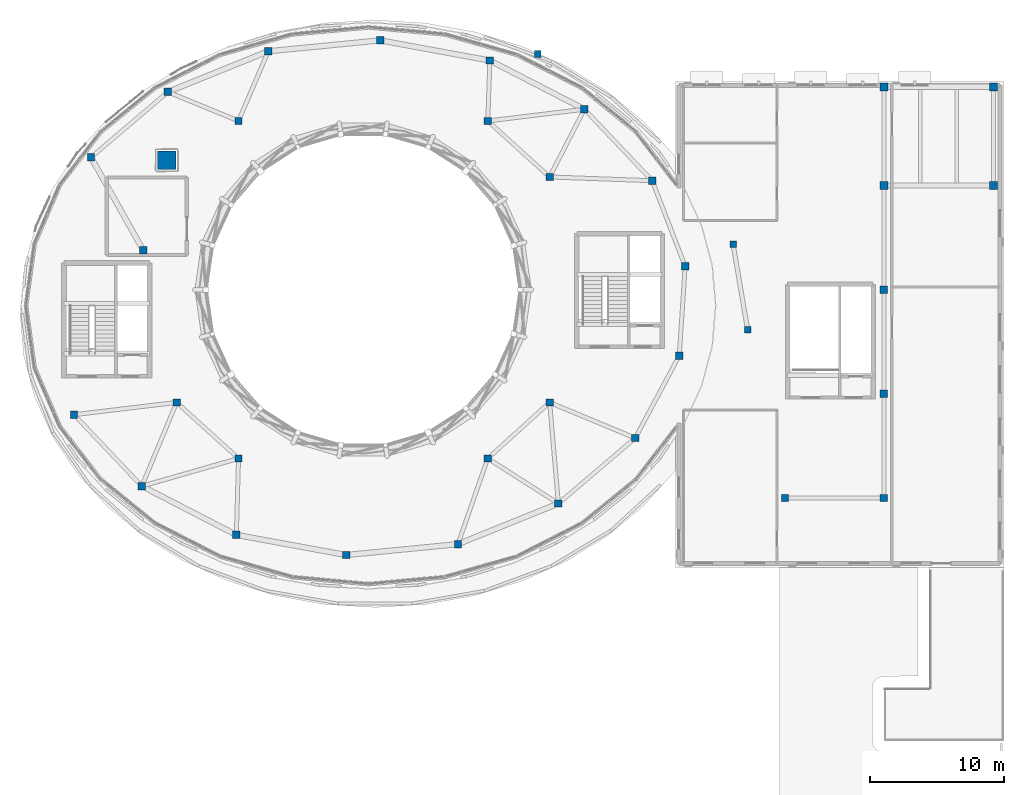
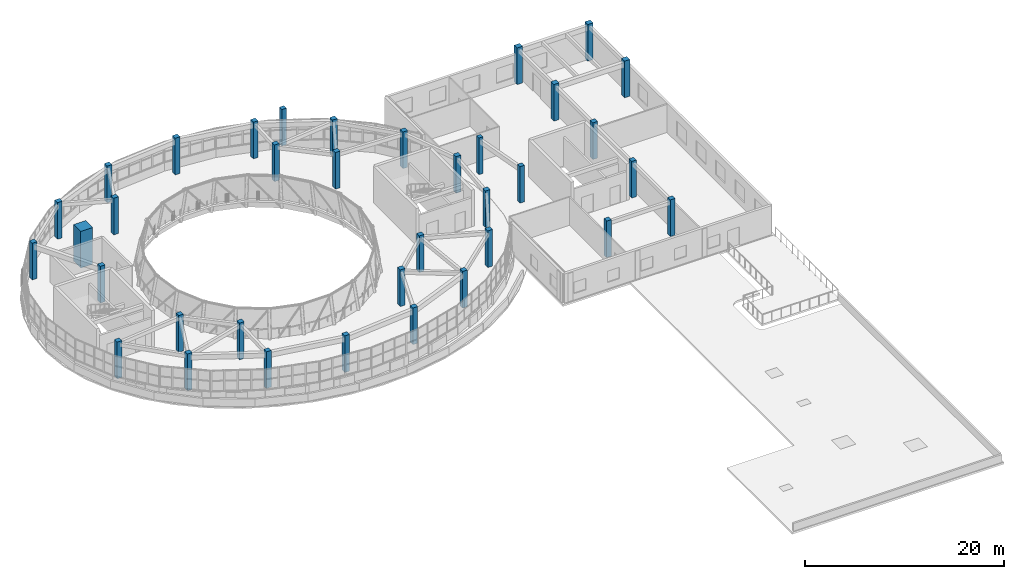
# One storey, part 1 of 46: 36 columns.
"""IFC4 building model written with IfcOpenShell, lengths in metres."""

from ifc_helpers import new_model, si_unit, direction, frame, origin, origin_2d, place, context, subcontext, project, spatial, rectangle, extrude, material, material_profile, profile_set, type_object, element, save


model = new_model("IFC4")

# Units and contexts
model_context = context("Model", 3, precision=1e-05, world=origin(), true_north=direction((0.0, 1.0)))
body_context = subcontext(model_context, "Body", "Model", "MODEL_VIEW")
ifc_project = project(units=[si_unit("LENGTHUNIT", "METRE"), si_unit("AREAUNIT", "SQUARE_METRE"), si_unit("VOLUMEUNIT", "CUBIC_METRE"), si_unit("PLANEANGLEUNIT", "RADIAN"), si_unit("MASSUNIT", "GRAM", prefix="KILO")], contexts=[model_context])

# Site, building, storey
site_placement = place(None, origin())
site = spatial("IfcSite", under=ifc_project, at=site_placement, CompositionType="ELEMENT")
building_placement = place(site_placement, origin())
building = spatial("IfcBuilding", under=site, at=building_placement, Name="Pelvatis Terrace Science Centre", CompositionType="ELEMENT")
storey_placement = place(building_placement, frame((0.0, 0.0, 19.800048828125)))
storey = spatial("IfcBuildingStorey", under=building, at=storey_placement, Name="L04", CompositionType="ELEMENT", Elevation=19.800048828125)

# Columns
ifc_material_1 = material(Name="Concrete C40/50", Category="concrete")
ifc_material_profile_1 = material_profile(ifc_material_1, rectangle(XDim=1.39990234375, YDim=1.39990234375, at=origin_2d()), Name="RC-COL 1400x1400")
ifc_profile_set_1 = profile_set([ifc_material_profile_1], Name="Concrete C40/50")
column_type_1 = type_object("IfcColumnType", Name="COL-PIER-1400", PredefinedType="COLUMN", material=ifc_profile_set_1)
column_placement = place(storey_placement, frame((94.5, 95.5, 0.0), z_axis=(0.0, 0.0, 1.0), x_axis=(1.0, 0.0, 0.0)))
element("IfcColumn", 1, at=column_placement, inside=storey, type_object=column_type_1, Name="Column PIER-OBS (L04)", PredefinedType="COLUMN", context=body_context, shape_type="SweptSolid", body=[
    extrude(rectangle(XDim=1.39990234375, YDim=1.39990234375, at=origin_2d()), origin(), (0.0, 0.0, 1.0), 4.5),
])
ifc_material_2 = material(Name="Concrete C40/50", Category="concrete")
ifc_material_profile_2 = material_profile(ifc_material_2, rectangle(XDim=0.5, YDim=0.5, at=origin_2d()), Name="RC-COL 500x500")
ifc_profile_set_2 = profile_set([ifc_material_profile_2], Name="Concrete C40/50")
column_type_2 = type_object("IfcColumnType", Name="COL-RC-500x500", PredefinedType="COLUMN", material=ifc_profile_set_2)
for number, where, z_axis, x_axis, name in (
    (2, (138.0, 82.800048828125, 0.0), (0.0, 0.0, 1.0), (1.0, 0.0, 0.0), "Column V1E-ST-01 (L04)"),
    (3, (136.910400390625, 89.1953125, 0.0), (0.0, 0.0, 1.0), (1.0, 0.0, 0.0), "Column V1E-ST-02 (L04)"),
    (4, (122.274658203125, 103.448486328125, 0.0), (0.0, 0.0, 1.0), (1.0, 0.0, 0.0), "Column V1E-ST-05 (L04)"),
):
    element("IfcColumn", number, at=place(storey_placement, frame(where, z_axis=z_axis, x_axis=x_axis)), inside=storey, type_object=column_type_2, Name=name, PredefinedType="COLUMN", context=body_context, shape_type="SweptSolid", body=[
        extrude(rectangle(XDim=0.5, YDim=0.5, at=origin_2d()), origin(), (0.0, 0.0, 1.0), 4.5),
    ])
ifc_material_3 = material(Name="Concrete C40/50", Category="concrete")
ifc_material_profile_3 = material_profile(ifc_material_3, rectangle(XDim=0.550048828125, YDim=0.550048828125, at=origin_2d()), Name="RC-COL 550x550")
ifc_profile_set_3 = profile_set([ifc_material_profile_3], Name="Concrete C40/50")
column_type_3 = type_object("IfcColumnType", Name="COL-RC-550x550", PredefinedType="COLUMN", material=ifc_profile_set_3)
for number, where, z_axis, x_axis, name in (
    (5, (133.31884765625, 87.552001953125, 0.0), (0.0, 0.0, 1.0), (1.0, 0.0, 0.0), "Column V1E-RF-01 (L04)"),
    (6, (130.8515625, 93.9619140625, 0.0), (0.0, 0.0, 1.0), (1.0, 0.0, 0.0), "Column V1E-RF-02 (L04)"),
    (7, (125.772705078125, 99.315185546875, 0.0), (0.0, 0.0, 1.0), (1.0, 0.0, 0.0), "Column V1E-RF-03 (L04)"),
    (8, (118.69482421875, 102.9658203125, 0.0), (0.0, 0.0, 1.0), (1.0, 0.0, 0.0), "Column V1E-RF-04 (L04)"),
    (9, (110.4716796875, 104.4736328125, 0.0), (0.0, 0.0, 1.0), (1.0, 0.0, 0.0), "Column V1E-RF-05 (L04)"),
    (10, (102.095458984375, 103.65673828125, 0.0), (0.0, 0.0, 1.0), (1.0, 0.0, 0.0), "Column V1E-RF-06 (L04)"),
    (11, (94.575927734375, 100.61376953125, 0.0), (0.0, 0.0, 1.0), (1.0, 0.0, 0.0), "Column V1E-RF-07 (L04)"),
    (12, (88.8203125, 95.71142578125, 0.0), (0.0, 0.0, 1.0), (1.0, 0.0, 0.0), "Column V1E-RF-08 (L04)"),
    (13, (87.548583984375, 76.43798828125, 0.0), (0.0, 0.0, 1.0), (1.0, 0.0, 0.0), "Column V1E-RF-11 (L04)"),
    (14, (92.62744140625, 71.0849609375, 0.0), (0.0, 0.0, 1.0), (1.0, 0.0, 0.0), "Column V1E-RF-12 (L04)"),
    (15, (99.705078125, 67.434326171875, 0.0), (0.0, 0.0, 1.0), (1.0, 0.0, 0.0), "Column V1E-RF-13 (L04)"),
    (16, (107.92822265625, 65.926513671875, 0.0), (0.0, 0.0, 1.0), (1.0, 0.0, 0.0), "Column V1E-RF-14 (L04)"),
    (17, (116.3046875, 66.743408203125, 0.0), (0.0, 0.0, 1.0), (1.0, 0.0, 0.0), "Column V1E-RF-15 (L04)"),
    (18, (123.82421875, 69.786376953125, 0.0), (0.0, 0.0, 1.0), (1.0, 0.0, 0.0), "Column V1E-RF-16 (L04)"),
    (19, (129.57958984375, 74.6884765625, 0.0), (0.0, 0.0, 1.0), (1.0, 0.0, 0.0), "Column V1E-RF-17 (L04)"),
    (20, (132.877197265625, 80.8583984375, 0.0), (0.0, 0.0, 1.0), (1.0, 0.0, 0.0), "Column V1E-RF-18 (L04)"),
    (21, (123.168701171875, 94.24462890625, 0.0), (0.0, 0.0, 1.0), (1.0, 0.0, 0.0), "Column V1E-IN-02 (L04)"),
    (22, (118.53369140625, 98.438232421875, 0.0), (0.0, 0.0, 1.0), (1.0, 0.0, 0.0), "Column V1E-IN-03 (L04)"),
    (23, (99.866455078125, 98.438232421875, 0.0), (0.0, 0.0, 1.0), (1.0, 0.0, 0.0), "Column V1E-IN-06 (L04)"),
    (24, (92.722900390625, 88.765380859375, 0.0), (0.0, 0.0, 1.0), (1.0, 0.0, 0.0), "Column V1E-IN-08 (L04)"),
    (25, (95.231201171875, 77.355224609375, 0.0), (0.0, 0.0, 1.0), (1.0, 0.0, 0.0), "Column V1E-IN-10 (L04)"),
    (26, (99.866455078125, 73.16162109375, 0.0), (0.0, 0.0, 1.0), (1.0, 0.0, 0.0), "Column V1E-IN-11 (L04)"),
    (27, (118.53369140625, 73.16162109375, 0.0), (0.0, 0.0, 1.0), (1.0, 0.0, 0.0), "Column V1E-IN-14 (L04)"),
    (28, (123.168701171875, 77.355224609375, 0.0), (0.0, 0.0, 1.0), (1.0, 0.0, 0.0), "Column V1E-IN-15 (L04)"),
    (29, (140.800048828125, 70.199951171875, 0.0), (0.0, 0.0, 1.0), (1.0, 0.0, 0.0), "Column V5G-E-2-5 (L04)"),
    (30, (148.199951171875, 70.199951171875, 0.0), (0.0, 0.0, 1.0), (1.0, 0.0, 0.0), "Column V5G-E-3-5 (L04)"),
    (31, (148.199951171875, 78.0, 0.0), (0.0, 0.0, 1.0), (1.0, 0.0, 0.0), "Column V5G-E-3-6 (L04)"),
    (32, (148.199951171875, 85.800048828125, 0.0), (0.0, 0.0, 1.0), (1.0, 0.0, 0.0), "Column V5G-E-3-7 (L04)"),
):
    element("IfcColumn", number, at=place(storey_placement, frame(where, z_axis=z_axis, x_axis=x_axis)), inside=storey, type_object=column_type_3, Name=name, PredefinedType="COLUMN", context=body_context, shape_type="SweptSolid", body=[
        extrude(rectangle(XDim=0.550048828125, YDim=0.550048828125, at=origin_2d()), origin(), (0.0, 0.0, 1.0), 4.5),
    ])
ifc_material_4 = material(Name="Concrete C40/50", Category="concrete")
ifc_material_profile_4 = material_profile(ifc_material_4, rectangle(XDim=0.60009765625, YDim=0.60009765625, at=origin_2d()), Name="RC-COL 600x600")
ifc_profile_set_4 = profile_set([ifc_material_profile_4], Name="Concrete C40/50")
column_type_4 = type_object("IfcColumnType", Name="COL-RC-600x600", PredefinedType="COLUMN", material=ifc_profile_set_4)
for number, where, z_axis, x_axis, name in (
    (33, (148.199951171875, 93.60009765625, 0.0), (0.0, 0.0, 1.0), (1.0, 0.0, 0.0), "Column V5G-E-3-8 (L04)"),
    (34, (148.199951171875, 101.0, 0.0), (0.0, 0.0, 1.0), (1.0, 0.0, 0.0), "Column V5G-E-3-9 (L04)"),
    (35, (156.39990234375, 93.60009765625, 0.0), (0.0, 0.0, 1.0), (1.0, 0.0, 0.0), "Column V5G-E-4-8 (L04)"),
    (36, (156.39990234375, 101.0, 0.0), (0.0, 0.0, 1.0), (1.0, 0.0, 0.0), "Column V5G-E-4-9 (L04)"),
):
    element("IfcColumn", number, at=place(storey_placement, frame(where, z_axis=z_axis, x_axis=x_axis)), inside=storey, type_object=column_type_4, Name=name, PredefinedType="COLUMN", context=body_context, shape_type="SweptSolid", body=[
        extrude(rectangle(XDim=0.60009765625, YDim=0.60009765625, at=origin_2d()), origin(), (0.0, 0.0, 1.0), 4.5),
    ])

save(model, "model.ifc")
